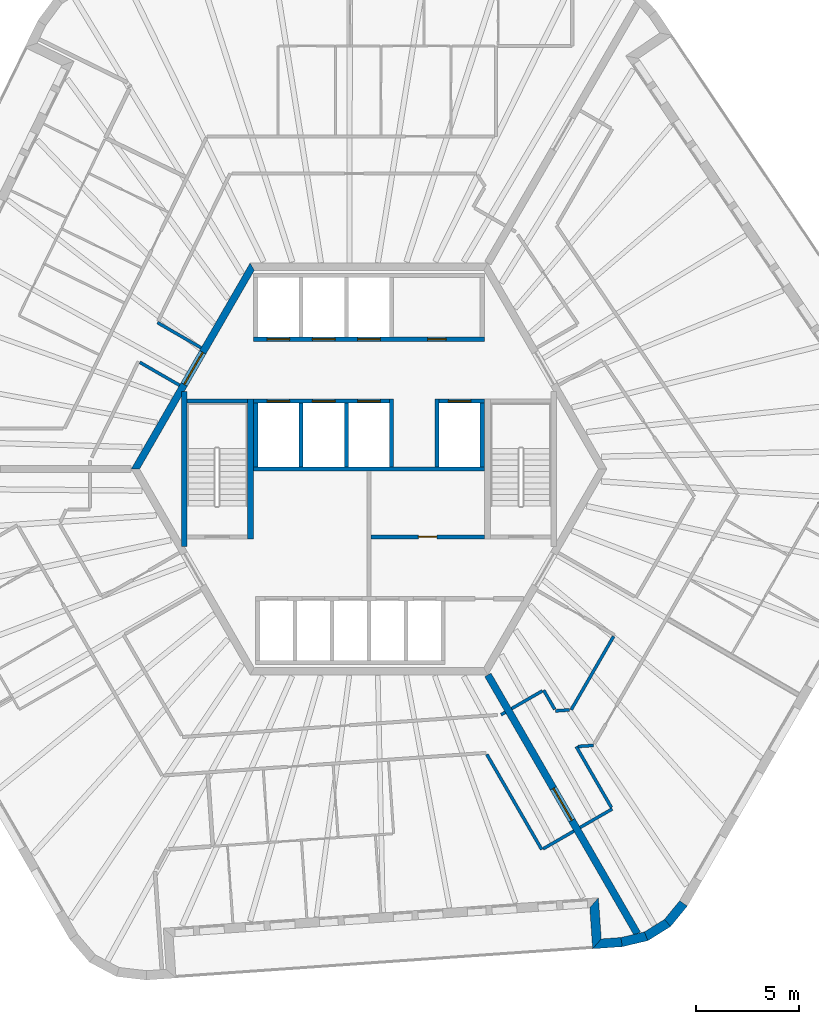
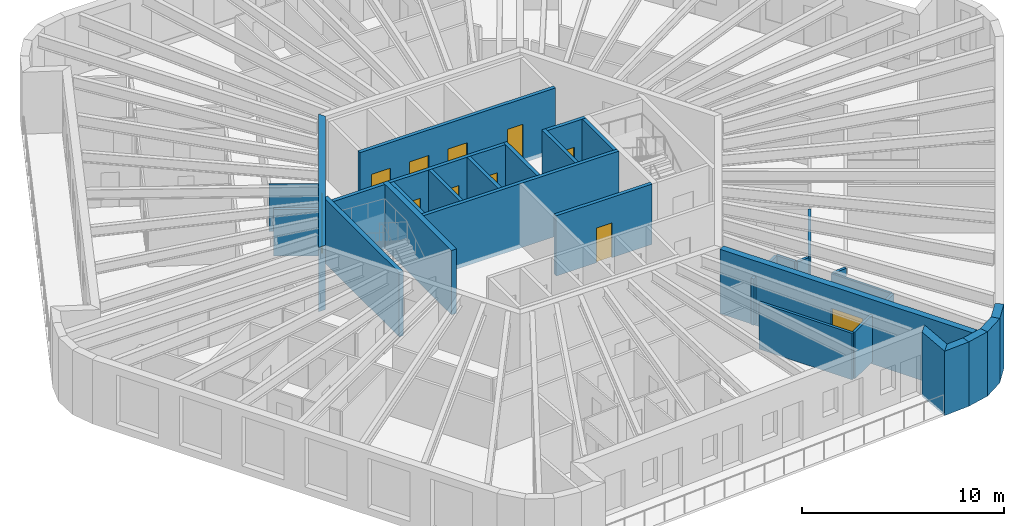
# One storey, part 5 of 11: 33 walls, 11 doors, 11 openings.
"""IFC4 building model written with IfcOpenShell, lengths in metres."""

from ifc_helpers import new_model, si_unit, direction, frame, frame_2d, origin, place, context, subcontext, project, spatial, polyline, rectangle, outline, extrude, material, layer, layer_set, type_object, element, fill, save


model = new_model("IFC4")

# Units and contexts
model_context = context("Model", 3, precision=1e-05, world=origin(), true_north=direction((0.0, 1.0)))
body_context = subcontext(model_context, "Body", "Model", "MODEL_VIEW")
ifc_project = project(units=[si_unit("LENGTHUNIT", "METRE"), si_unit("AREAUNIT", "SQUARE_METRE"), si_unit("VOLUMEUNIT", "CUBIC_METRE"), si_unit("PLANEANGLEUNIT", "RADIAN"), si_unit("MASSUNIT", "GRAM", prefix="KILO")], contexts=[model_context])

# Site, building, storey
site_placement = place(None, origin())
site = spatial("IfcSite", under=ifc_project, at=site_placement, CompositionType="ELEMENT")
building_placement = place(site_placement, origin())
building = spatial("IfcBuilding", under=site, at=building_placement, Name="Tarnside Tower", CompositionType="ELEMENT")
storey_placement = place(building_placement, frame((0.0, 0.0, 365.10009765625)))
storey = spatial("IfcBuildingStorey", under=building, at=storey_placement, Name="L88", CompositionType="ELEMENT", Elevation=365.10009765625)

# Wall, opening, door
ifc_material_1 = material(Name="Concrete C40/50", Category="concrete")
ifc_layer_1 = layer(ifc_material_1, 0.199951171875)
ifc_layer_set_1 = layer_set([ifc_layer_1], Name="Core room partition 200 C40/50")
wall_type_1 = type_object("IfcWallType", Name="Core room partition 200 C40/50", PredefinedType="PARTITIONING", material=ifc_layer_set_1)
wall_1_placement = place(storey_placement, frame((0.10009765625, -3.300048828125, 0.0), z_axis=(0.0, 0.0, 1.0), x_axis=(1.0, 0.0, 0.0)))
wall_1 = element("IfcWall", 1, at=wall_1_placement, inside=storey, type_object=wall_type_1, Name="L88 core partition R3S1", PredefinedType="PARTITIONING", context=body_context, shape_type="SweptSolid", body=[
    extrude(rectangle(XDim=5.5, YDim=0.199951171875, at=frame_2d((2.75, 0.0))), origin(), (0.0, 0.0, 1.0), 3.64990234375),
])
opening_1_placement = place(wall_1_placement, frame((2.300048828125, 0.0, 0.0)))
opening_1 = element("IfcOpeningElement", 2, at=opening_1_placement, cuts=wall_1, Name="Opening CD-room", PredefinedType="OPENING", context=body_context, shape_type="SweptSolid", body=[
    extrude(rectangle(XDim=0.89990234375, YDim=2.10009765625, at=frame_2d((0.449951171875, 1.050048828125))), frame((0.0, 0.10986328125, 0.0), z_axis=(0.0, -1.0, 0.0), x_axis=(1.0, 0.0, 0.0)), (0.0, 0.0, 1.0), 0.219970703125),
])
ifc_material_2 = material(Name="Steel fire door", Category="steel")
door_type_1 = type_object("IfcDoorType", Name="Room door FD60 900x2100", OperationType="NOTDEFINED", PredefinedType="DOOR", material=ifc_material_2)
door_1_placement = place(opening_1_placement, origin())
door_1 = element("IfcDoor", 3, at=door_1_placement, inside=storey, type_object=door_type_1, Name="L88 core room door SR1", OperationType="SINGLE_SWING_LEFT", OverallHeight=2.10009765625, OverallWidth=0.89990234375, PredefinedType="DOOR", context=body_context, shape_type="SweptSolid", body=[
    extrude(rectangle(XDim=0.89990234375, YDim=2.10009765625, at=frame_2d((0.449951171875, 1.050048828125))), frame((0.0, 0.02490234375, 0.0), z_axis=(0.0, -1.0, 0.0), x_axis=(1.0, 0.0, 0.0)), (0.0, 0.0, 1.0), 0.050048828125),
])
fill(opening_1, door_1)

ifc_material_3 = material(Name="Concrete C50/60", Category="concrete")
ifc_layer_2 = layer(ifc_material_3, 0.35009765625)
ifc_layer_set_2 = layer_set([ifc_layer_2], Name="Core wall Z4 350 C50/60")
wall_type_2 = type_object("IfcWallType", Name="Core wall Z4 350 C50/60", PredefinedType="SHEAR", material=ifc_layer_set_2)
wall_2_placement = place(storey_placement, frame((-5.672607421875, 9.824951171875, -0.150146484375), z_axis=(0.0, 0.0, 1.0), x_axis=(-0.499995046907, -0.866028263435, 0.0)))
wall_2 = element("IfcWall", 4, at=wall_2_placement, inside=storey, type_object=wall_type_2, Name="L88 core wall face 2", PredefinedType="SHEAR", context=body_context, shape_type="SweptSolid", body=[
    extrude(outline(polyline([(-0.10107421875, -0.175048828125), (11.44580078125, -0.175048828125), (11.24365234375, 0.175048828125), (0.10107421875, 0.175048828125), (-0.10107421875, -0.175048828125)])), origin(), (0.0, 0.0, 1.0), 3.900146484375),
])
opening_2_placement = place(wall_2_placement, frame((4.80126953125, 0.0, 0.14990234375)))
opening_2 = element("IfcOpeningElement", 5, at=opening_2_placement, cuts=wall_2, Name="Opening CD-LOB", PredefinedType="OPENING", context=body_context, shape_type="SweptSolid", body=[
    extrude(rectangle(XDim=1.800048828125, YDim=2.39990234375, at=frame_2d((0.89990234375, 1.199951171875))), frame((0.0, 0.18505859375, 0.0), z_axis=(0.0, -1.0, 0.0), x_axis=(1.0, 0.0, 0.0)), (0.0, 0.0, 1.0), 0.3701171875),
])
door_type_2 = type_object("IfcDoorType", Name="Lobby double door FD30S 1800x2400", OperationType="NOTDEFINED", PredefinedType="DOOR", material=ifc_material_2)
door_2_placement = place(opening_2_placement, origin())
door_2 = element("IfcDoor", 6, at=door_2_placement, inside=storey, type_object=door_type_2, Name="L88 core door P1", OperationType="DOUBLE_DOOR_SINGLE_SWING", OverallHeight=2.39990234375, OverallWidth=1.800048828125, PredefinedType="DOOR", context=body_context, shape_type="SweptSolid", body=[
    extrude(rectangle(XDim=1.800048828125, YDim=2.39990234375, at=frame_2d((0.89990234375, 1.199951171875))), frame((0.0, 0.02490234375, 0.0), z_axis=(0.0, -1.0, 0.0), x_axis=(1.0, 0.0, 0.0)), (0.0, 0.0, 1.0), 0.050048828125),
])
fill(opening_2, door_2)

wall_3_placement = place(storey_placement, frame((5.7734375, -10.0, -0.150146484375), z_axis=(0.0, 0.0, 1.0), x_axis=(0.500007911273, -0.866020836161, 0.0)))
wall_3 = element("IfcWall", 7, at=wall_3_placement, inside=storey, type_object=wall_type_2, Name="L88 spine wall 3", PredefinedType="SHEAR", context=body_context, shape_type="SweptSolid", body=[
    extrude(rectangle(XDim=14.510498046875, YDim=0.35009765625, at=frame_2d((7.25537109375, 0.0))), origin(), (0.0, 0.0, 1.0), 3.900146484375),
])
opening_3_placement = place(wall_3_placement, frame((6.355224609375, 0.0, 0.14990234375)))
opening_3 = element("IfcOpeningElement", 8, at=opening_3_placement, cuts=wall_3, Name="Opening CD-SPN", PredefinedType="OPENING", context=body_context, shape_type="SweptSolid", body=[
    extrude(rectangle(XDim=1.800048828125, YDim=2.39990234375, at=frame_2d((0.89990234375, 1.199951171875))), frame((0.0, 0.18505859375, 0.0), z_axis=(0.0, -1.0, 0.0), x_axis=(1.0, 0.0, 0.0)), (0.0, 0.0, 1.0), 0.3701171875),
])
door_type_3 = type_object("IfcDoorType", Name="Spine passage double door FD60 1800x2400", OperationType="NOTDEFINED", PredefinedType="DOOR", material=ifc_material_2)
door_3_placement = place(opening_3_placement, origin())
door_3 = element("IfcDoor", 9, at=door_3_placement, inside=storey, type_object=door_type_3, Name="L88 spine passage door 3", OperationType="DOUBLE_DOOR_SINGLE_SWING", OverallHeight=2.39990234375, OverallWidth=1.800048828125, PredefinedType="DOOR", context=body_context, shape_type="SweptSolid", body=[
    extrude(rectangle(XDim=1.800048828125, YDim=2.39990234375, at=frame_2d((0.89990234375, 1.199951171875))), frame((0.0, 0.02490234375, 0.0), z_axis=(0.0, -1.0, 0.0), x_axis=(1.0, 0.0, 0.0)), (0.0, 0.0, 1.0), 0.050048828125),
])
fill(opening_3, door_3)

# Walls
ifc_material_4 = material(Name="Gypsum board partition on steel studs", Category="steel")
ifc_layer_3 = layer(ifc_material_4, 0.14990234375)
ifc_layer_set_3 = layer_set([ifc_layer_3], Name="Corridor wall 150 EI 60")
wall_type_3 = type_object("IfcWallType", Name="Corridor wall 150 EI 60", PredefinedType="PARTITIONING", material=ifc_layer_set_3)
wall_4_placement = place(storey_placement, frame((-11.130615234375, 5.180419921875, 0.0), z_axis=(0.0, 0.0, 1.0), x_axis=(0.866037886895, -0.499978377995, 0.0)))
element("IfcWall", 10, at=wall_4_placement, inside=storey, type_object=wall_type_3, Name="Corridor wall 28019", PredefinedType="PARTITIONING", context=body_context, shape_type="SweptSolid", body=[
    extrude(rectangle(XDim=2.2294921875, YDim=0.14990234375, at=frame_2d((1.11474609375, 0.0))), origin(), (0.0, 0.0, 1.0), 2.81982421875),
])
wall_5_placement = place(storey_placement, frame((-8.149658203125, 5.88427734375, 0.0), z_axis=(0.0, 0.0, 1.0), x_axis=(-0.866009790468, 0.500027042082, 0.0)))
element("IfcWall", 11, at=wall_5_placement, inside=storey, type_object=wall_type_3, Name="Corridor wall 28020", PredefinedType="PARTITIONING", context=body_context, shape_type="SweptSolid", body=[
    extrude(rectangle(XDim=2.451416015625, YDim=0.14990234375, at=frame_2d((1.2255859375, 0.0))), origin(), (0.0, 0.0, 1.0), 2.81982421875),
])
wall_6_placement = place(storey_placement, frame((5.721435546875, -13.859619140625, 0.0), z_axis=(0.0, 0.0, 1.0), x_axis=(0.499970524249, -0.866042420948, 0.0)))
element("IfcWall", 12, at=wall_6_placement, inside=storey, type_object=wall_type_3, Name="Corridor wall 28035", PredefinedType="PARTITIONING", context=body_context, shape_type="SweptSolid", body=[
    extrude(rectangle(XDim=5.338623046875, YDim=0.14990234375, at=frame_2d((2.66943359375, 0.0))), origin(), (0.0, 0.0, 1.0), 2.81982421875),
])
wall_7_placement = place(storey_placement, frame((8.455810546875, -18.44580078125, 0.0), z_axis=(0.0, 0.0, 1.0), x_axis=(0.866013532718, 0.500020560727, 0.0)))
element("IfcWall", 13, at=wall_7_placement, inside=storey, type_object=wall_type_3, Name="Corridor wall 28036", PredefinedType="PARTITIONING", context=body_context, shape_type="SweptSolid", body=[
    extrude(rectangle(XDim=1.72509765625, YDim=0.14990234375, at=frame_2d((0.862548828125, 0.0))), origin(), (0.0, 0.0, 1.0), 2.81982421875),
])
wall_8_placement = place(storey_placement, frame((6.61865234375, -11.81396484375, 0.0), z_axis=(0.0, 0.0, 1.0), x_axis=(-0.865544827262, -0.500831460673, 0.0)))
element("IfcWall", 14, at=wall_8_placement, inside=storey, type_object=wall_type_3, Name="Corridor wall 28045", PredefinedType="PARTITIONING", context=body_context, shape_type="SweptSolid", body=[
    extrude(rectangle(XDim=0.23486328125, YDim=0.14990234375, at=frame_2d((0.117431640625, 0.0))), origin(), (0.0, 0.0, 1.0), 2.81982421875),
])
wall_9_placement = place(storey_placement, frame((10.252685546875, -17.408203125, 0.0), z_axis=(0.0, 0.0, 1.0), x_axis=(0.866047807691, 0.499961193289, 0.0)))
element("IfcWall", 15, at=wall_9_placement, inside=storey, type_object=wall_type_3, Name="Corridor wall 28049", PredefinedType="PARTITIONING", context=body_context, shape_type="SweptSolid", body=[
    extrude(rectangle(XDim=1.800048828125, YDim=0.14990234375, at=frame_2d((0.89990234375, 0.0))), origin(), (0.0, 0.0, 1.0), 2.81982421875),
])
wall_10_placement = place(storey_placement, frame((11.77392578125, -16.443359375, 0.0), z_axis=(0.0, 0.0, 1.0), x_axis=(-0.499938683108, 0.866060802215, 0.0)))
element("IfcWall", 16, at=wall_10_placement, inside=storey, type_object=wall_type_3, Name="Corridor wall 28050", PredefinedType="PARTITIONING", context=body_context, shape_type="SweptSolid", body=[
    extrude(rectangle(XDim=3.4208984375, YDim=0.14990234375, at=frame_2d((1.71044921875, 0.0))), origin(), (0.0, 0.0, 1.0), 2.81982421875),
])
wall_11_placement = place(storey_placement, frame((10.14697265625, -13.47509765625, 0.0), z_axis=(0.0, 0.0, 1.0), x_axis=(0.997549934395, 0.069958047347, 0.0)))
element("IfcWall", 17, at=wall_11_placement, inside=storey, type_object=wall_type_3, Name="Corridor wall 28051", PredefinedType="PARTITIONING", context=body_context, shape_type="SweptSolid", body=[
    extrude(rectangle(XDim=0.75390625, YDim=0.14990234375, at=frame_2d((0.376953125, 0.0))), origin(), (0.0, 0.0, 1.0), 2.81982421875),
])
wall_12_placement = place(storey_placement, frame((11.87939453125, -8.124267578125, 0.0), z_axis=(0.0, 0.0, 1.0), x_axis=(-0.500006178143, -0.866021836803, 0.0)))
element("IfcWall", 18, at=wall_12_placement, inside=storey, type_object=wall_type_3, Name="Corridor wall 28064", PredefinedType="PARTITIONING", context=body_context, shape_type="SweptSolid", body=[
    extrude(rectangle(XDim=4.12158203125, YDim=0.14990234375, at=frame_2d((2.060791015625, 0.0))), origin(), (0.0, 0.0, 1.0), 2.81982421875),
])
wall_13_placement = place(storey_placement, frame((9.728515625, -11.699951171875, 0.0), z_axis=(0.0, 0.0, 1.0), x_axis=(-0.997585124395, -0.069454442519, 0.0)))
element("IfcWall", 19, at=wall_13_placement, inside=storey, type_object=wall_type_3, Name="Corridor wall 28065", PredefinedType="PARTITIONING", context=body_context, shape_type="SweptSolid", body=[
    extrude(rectangle(XDim=0.66796875, YDim=0.14990234375, at=frame_2d((0.333984375, 0.0))), origin(), (0.0, 0.0, 1.0), 2.81982421875),
])
wall_14_placement = place(storey_placement, frame((9.020751953125, -11.674072265625, 0.0), z_axis=(0.0, 0.0, 1.0), x_axis=(-0.500126914667, 0.865952117167, 0.0)))
element("IfcWall", 20, at=wall_14_placement, inside=storey, type_object=wall_type_3, Name="Corridor wall 28066", PredefinedType="PARTITIONING", context=body_context, shape_type="SweptSolid", body=[
    extrude(rectangle(XDim=1.079833984375, YDim=0.14990234375, at=frame_2d((0.5400390625, 0.0))), origin(), (0.0, 0.0, 1.0), 2.81982421875),
])
wall_15_placement = place(storey_placement, frame((8.415771484375, -10.776611328125, 0.0), z_axis=(0.0, 0.0, 1.0), x_axis=(-0.866074815912, -0.499914405916, 0.0)))
element("IfcWall", 21, at=wall_15_placement, inside=storey, type_object=wall_type_3, Name="Corridor wall 28067", PredefinedType="PARTITIONING", context=body_context, shape_type="SweptSolid", body=[
    extrude(rectangle(XDim=1.724853515625, YDim=0.14990234375, at=frame_2d((0.8623046875, 0.0))), origin(), (0.0, 0.0, 1.0), 2.81982421875),
])

# Wall, openings, doors
ifc_layer_4 = layer(ifc_material_1, 0.199951171875)
ifc_layer_set_4 = layer_set([ifc_layer_4], Name="Lift shaft wall 200 C40/50")
wall_type_4 = type_object("IfcWallType", Name="Lift shaft wall 200 C40/50", PredefinedType="SHEAR", material=ifc_layer_set_4)
wall_16_placement = place(storey_placement, frame((-5.60009765625, 6.300048828125, -0.25), z_axis=(0.0, 0.0, 1.0), x_axis=(1.0, 0.0, 0.0)))
wall_16 = element("IfcWall", 22, at=wall_16_placement, inside=storey, type_object=wall_type_4, Name="L88 lift shaft front wall R1", PredefinedType="SHEAR", context=body_context, shape_type="SweptSolid", body=[
    extrude(rectangle(XDim=11.2001953125, YDim=0.199951171875, at=frame_2d((5.60009765625, 0.0))), origin(), (0.0, 0.0, 1.0), 3.89990234375),
])
opening_4_placement = place(wall_16_placement, frame((8.449951171875, 0.0, 0.25)))
opening_4 = element("IfcOpeningElement", 23, at=opening_4_placement, cuts=wall_16, Name="Opening CD-room", PredefinedType="OPENING", context=body_context, shape_type="SweptSolid", body=[
    extrude(rectangle(XDim=0.89990234375, YDim=2.10009765625, at=frame_2d((0.449951171875, 1.050048828125))), frame((0.0, 0.10986328125, 0.0), z_axis=(0.0, -1.0, 0.0), x_axis=(1.0, 0.0, 0.0)), (0.0, 0.0, 1.0), 0.219970703125),
])
opening_5_placement = place(wall_16_placement, frame((0.64990234375, 0.0, 0.25)))
opening_5 = element("IfcOpeningElement", 24, at=opening_5_placement, cuts=wall_16, Name="Opening LD", PredefinedType="OPENING", context=body_context, shape_type="SweptSolid", body=[
    extrude(rectangle(XDim=1.10009765625, YDim=2.10009765625, at=frame_2d((0.550048828125, 1.050048828125))), frame((0.0, 0.10986328125, 0.0), z_axis=(0.0, -1.0, 0.0), x_axis=(1.0, 0.0, 0.0)), (0.0, 0.0, 1.0), 0.219970703125),
])
opening_6_placement = place(wall_16_placement, frame((2.85009765625, 0.0, 0.25)))
opening_6 = element("IfcOpeningElement", 25, at=opening_6_placement, cuts=wall_16, Name="Opening LD", PredefinedType="OPENING", context=body_context, shape_type="SweptSolid", body=[
    extrude(rectangle(XDim=1.10009765625, YDim=2.10009765625, at=frame_2d((0.550048828125, 1.050048828125))), frame((0.0, 0.10986328125, 0.0), z_axis=(0.0, -1.0, 0.0), x_axis=(1.0, 0.0, 0.0)), (0.0, 0.0, 1.0), 0.219970703125),
])
opening_7_placement = place(wall_16_placement, frame((5.050048828125, 0.0, 0.25)))
opening_7 = element("IfcOpeningElement", 26, at=opening_7_placement, cuts=wall_16, Name="Opening LD", PredefinedType="OPENING", context=body_context, shape_type="SweptSolid", body=[
    extrude(rectangle(XDim=1.10009765625, YDim=2.10009765625, at=frame_2d((0.550048828125, 1.050048828125))), frame((0.0, 0.10986328125, 0.0), z_axis=(0.0, -1.0, 0.0), x_axis=(1.0, 0.0, 0.0)), (0.0, 0.0, 1.0), 0.219970703125),
])
ifc_material_5 = material(Name="Stainless steel", Category="steel")
door_type_4 = type_object("IfcDoorType", Name="Lift landing door 1100x2100", OperationType="NOTDEFINED", PredefinedType="DOOR", material=ifc_material_5)
door_4_placement = place(opening_5_placement, origin())
door_4 = element("IfcDoor", 27, at=door_4_placement, inside=storey, type_object=door_type_4, Name="High-rise lift 1 landing door L88", OperationType="SLIDING_TO_LEFT", OverallHeight=2.10009765625, OverallWidth=1.10009765625, PredefinedType="DOOR", context=body_context, shape_type="SweptSolid", body=[
    extrude(rectangle(XDim=1.10009765625, YDim=2.10009765625, at=frame_2d((0.550048828125, 1.050048828125))), frame((0.0, 0.02490234375, 0.0), z_axis=(0.0, -1.0, 0.0), x_axis=(1.0, 0.0, 0.0)), (0.0, 0.0, 1.0), 0.050048828125),
])
fill(opening_5, door_4)
door_5_placement = place(opening_6_placement, origin())
door_5 = element("IfcDoor", 28, at=door_5_placement, inside=storey, type_object=door_type_4, Name="High-rise lift 2 landing door L88", OperationType="SLIDING_TO_LEFT", OverallHeight=2.10009765625, OverallWidth=1.10009765625, PredefinedType="DOOR", context=body_context, shape_type="SweptSolid", body=[
    extrude(rectangle(XDim=1.10009765625, YDim=2.10009765625, at=frame_2d((0.550048828125, 1.050048828125))), frame((0.0, 0.02490234375, 0.0), z_axis=(0.0, -1.0, 0.0), x_axis=(1.0, 0.0, 0.0)), (0.0, 0.0, 1.0), 0.050048828125),
])
fill(opening_6, door_5)
door_6_placement = place(opening_7_placement, origin())
door_6 = element("IfcDoor", 29, at=door_6_placement, inside=storey, type_object=door_type_4, Name="High-rise lift 3 landing door L88", OperationType="SLIDING_TO_LEFT", OverallHeight=2.10009765625, OverallWidth=1.10009765625, PredefinedType="DOOR", context=body_context, shape_type="SweptSolid", body=[
    extrude(rectangle(XDim=1.10009765625, YDim=2.10009765625, at=frame_2d((0.550048828125, 1.050048828125))), frame((0.0, 0.02490234375, 0.0), z_axis=(0.0, -1.0, 0.0), x_axis=(1.0, 0.0, 0.0)), (0.0, 0.0, 1.0), 0.050048828125),
])
fill(opening_7, door_6)
door_7_placement = place(opening_4_placement, origin())
door_7 = element("IfcDoor", 30, at=door_7_placement, inside=storey, type_object=door_type_1, Name="L88 core room door FC1", OperationType="SINGLE_SWING_LEFT", OverallHeight=2.10009765625, OverallWidth=0.89990234375, PredefinedType="DOOR", context=body_context, shape_type="SweptSolid", body=[
    extrude(rectangle(XDim=0.89990234375, YDim=2.10009765625, at=frame_2d((0.449951171875, 1.050048828125))), frame((0.0, 0.02490234375, 0.0), z_axis=(0.0, -1.0, 0.0), x_axis=(1.0, 0.0, 0.0)), (0.0, 0.0, 1.0), 0.050048828125),
])
fill(opening_4, door_7)

wall_17_placement = place(storey_placement, frame((-5.60009765625, 3.300048828125, -0.25), z_axis=(0.0, 0.0, 1.0), x_axis=(1.0, 0.0, 0.0)))
wall_17 = element("IfcWall", 31, at=wall_17_placement, inside=storey, type_object=wall_type_4, Name="L88 lift shaft front wall R2", PredefinedType="SHEAR", context=body_context, shape_type="SweptSolid", body=[
    extrude(rectangle(XDim=6.60009765625, YDim=0.199951171875, at=frame_2d((3.300048828125, 0.0))), origin(), (0.0, 0.0, 1.0), 3.89990234375),
])
opening_8_placement = place(wall_17_placement, frame((0.64990234375, 0.0, 0.25)))
opening_8 = element("IfcOpeningElement", 32, at=opening_8_placement, cuts=wall_17, Name="Opening LD", PredefinedType="OPENING", context=body_context, shape_type="SweptSolid", body=[
    extrude(rectangle(XDim=1.10009765625, YDim=2.10009765625, at=frame_2d((0.550048828125, 1.050048828125))), frame((0.0, 0.10986328125, 0.0), z_axis=(0.0, -1.0, 0.0), x_axis=(1.0, 0.0, 0.0)), (0.0, 0.0, 1.0), 0.219970703125),
])
opening_9_placement = place(wall_17_placement, frame((2.85009765625, 0.0, 0.25)))
opening_9 = element("IfcOpeningElement", 33, at=opening_9_placement, cuts=wall_17, Name="Opening LD", PredefinedType="OPENING", context=body_context, shape_type="SweptSolid", body=[
    extrude(rectangle(XDim=1.10009765625, YDim=2.10009765625, at=frame_2d((0.550048828125, 1.050048828125))), frame((0.0, 0.10986328125, 0.0), z_axis=(0.0, -1.0, 0.0), x_axis=(1.0, 0.0, 0.0)), (0.0, 0.0, 1.0), 0.219970703125),
])
opening_10_placement = place(wall_17_placement, frame((5.050048828125, 0.0, 0.25)))
opening_10 = element("IfcOpeningElement", 34, at=opening_10_placement, cuts=wall_17, Name="Opening LD", PredefinedType="OPENING", context=body_context, shape_type="SweptSolid", body=[
    extrude(rectangle(XDim=1.10009765625, YDim=2.10009765625, at=frame_2d((0.550048828125, 1.050048828125))), frame((0.0, 0.10986328125, 0.0), z_axis=(0.0, -1.0, 0.0), x_axis=(1.0, 0.0, 0.0)), (0.0, 0.0, 1.0), 0.219970703125),
])
door_8_placement = place(opening_8_placement, origin())
door_8 = element("IfcDoor", 35, at=door_8_placement, inside=storey, type_object=door_type_4, Name="High-rise lift 4 landing door L88", OperationType="SLIDING_TO_LEFT", OverallHeight=2.10009765625, OverallWidth=1.10009765625, PredefinedType="DOOR", context=body_context, shape_type="SweptSolid", body=[
    extrude(rectangle(XDim=1.10009765625, YDim=2.10009765625, at=frame_2d((0.550048828125, 1.050048828125))), frame((0.0, 0.02490234375, 0.0), z_axis=(0.0, -1.0, 0.0), x_axis=(1.0, 0.0, 0.0)), (0.0, 0.0, 1.0), 0.050048828125),
])
fill(opening_8, door_8)
door_9_placement = place(opening_9_placement, origin())
door_9 = element("IfcDoor", 36, at=door_9_placement, inside=storey, type_object=door_type_4, Name="High-rise lift 5 landing door L88", OperationType="SLIDING_TO_LEFT", OverallHeight=2.10009765625, OverallWidth=1.10009765625, PredefinedType="DOOR", context=body_context, shape_type="SweptSolid", body=[
    extrude(rectangle(XDim=1.10009765625, YDim=2.10009765625, at=frame_2d((0.550048828125, 1.050048828125))), frame((0.0, 0.02490234375, 0.0), z_axis=(0.0, -1.0, 0.0), x_axis=(1.0, 0.0, 0.0)), (0.0, 0.0, 1.0), 0.050048828125),
])
fill(opening_9, door_9)
door_10_placement = place(opening_10_placement, origin())
door_10 = element("IfcDoor", 37, at=door_10_placement, inside=storey, type_object=door_type_4, Name="High-rise lift 6 landing door L88", OperationType="SLIDING_TO_LEFT", OverallHeight=2.10009765625, OverallWidth=1.10009765625, PredefinedType="DOOR", context=body_context, shape_type="SweptSolid", body=[
    extrude(rectangle(XDim=1.10009765625, YDim=2.10009765625, at=frame_2d((0.550048828125, 1.050048828125))), frame((0.0, 0.02490234375, 0.0), z_axis=(0.0, -1.0, 0.0), x_axis=(1.0, 0.0, 0.0)), (0.0, 0.0, 1.0), 0.050048828125),
])
fill(opening_10, door_10)

# Wall, opening, door
wall_18_placement = place(storey_placement, frame((3.39990234375, 3.300048828125, -0.25), z_axis=(0.0, 0.0, 1.0), x_axis=(1.0, 0.0, 0.0)))
wall_18 = element("IfcWall", 38, at=wall_18_placement, inside=storey, type_object=wall_type_4, Name="L88 lift shaft front wall R2 2", PredefinedType="SHEAR", context=body_context, shape_type="SweptSolid", body=[
    extrude(rectangle(XDim=2.2001953125, YDim=0.199951171875, at=frame_2d((1.10009765625, 0.0))), origin(), (0.0, 0.0, 1.0), 3.89990234375),
])
opening_11_placement = place(wall_18_placement, frame((0.449951171875, 0.0, 0.25)))
opening_11 = element("IfcOpeningElement", 39, at=opening_11_placement, cuts=wall_18, Name="Opening LD", PredefinedType="OPENING", context=body_context, shape_type="SweptSolid", body=[
    extrude(rectangle(XDim=1.10009765625, YDim=2.10009765625, at=frame_2d((0.550048828125, 1.050048828125))), frame((0.0, 0.10986328125, 0.0), z_axis=(0.0, -1.0, 0.0), x_axis=(1.0, 0.0, 0.0)), (0.0, 0.0, 1.0), 0.219970703125),
])
door_11_placement = place(opening_11_placement, origin())
door_11 = element("IfcDoor", 40, at=door_11_placement, inside=storey, type_object=door_type_4, Name="Express sky-lobby shuttle 2 landing door L88", OperationType="SLIDING_TO_LEFT", OverallHeight=2.10009765625, OverallWidth=1.10009765625, PredefinedType="DOOR", context=body_context, shape_type="SweptSolid", body=[
    extrude(rectangle(XDim=1.10009765625, YDim=2.10009765625, at=frame_2d((0.550048828125, 1.050048828125))), frame((0.0, 0.02490234375, 0.0), z_axis=(0.0, -1.0, 0.0), x_axis=(1.0, 0.0, 0.0)), (0.0, 0.0, 1.0), 0.050048828125),
])
fill(opening_11, door_11)

# Walls
wall_19_placement = place(storey_placement, frame((-5.60009765625, 0.0, -0.25), z_axis=(0.0, 0.0, 1.0), x_axis=(1.0, 0.0, 0.0)))
element("IfcWall", 41, at=wall_19_placement, inside=storey, type_object=wall_type_4, Name="L88 lift shaft back wall R2", PredefinedType="SHEAR", context=body_context, shape_type="SweptSolid", body=[
    extrude(rectangle(XDim=11.2001953125, YDim=0.199951171875, at=frame_2d((5.60009765625, 0.0))), origin(), (0.0, 0.0, 1.0), 3.89990234375),
])
for number, where, z_axis, x_axis, name in (
    (42, (-5.5, 0.10009765625, -0.25), (0.0, 0.0, 1.0), (0.0, 1.0, 0.0), "L88 lift shaft partition R21"),
    (43, (-3.300048828125, 0.10009765625, -0.25), (0.0, 0.0, 1.0), (0.0, 1.0, 0.0), "L88 lift shaft partition R22"),
    (44, (-1.10009765625, 0.10009765625, -0.25), (0.0, 0.0, 1.0), (0.0, 1.0, 0.0), "L88 lift shaft partition R23"),
):
    element("IfcWall", number, at=place(storey_placement, frame(where, z_axis=z_axis, x_axis=x_axis)), inside=storey, type_object=wall_type_4, Name=name, PredefinedType="SHEAR", context=body_context, shape_type="SweptSolid", body=[
        extrude(rectangle(XDim=3.099853515625, YDim=0.199951171875, at=frame_2d((1.5498046875, 0.0))), origin(), (0.0, 0.0, 1.0), 3.89990234375),
    ])
for number, where, z_axis, x_axis, name in (
    (45, (1.10009765625, 0.10009765625, -0.25), (0.0, 0.0, 1.0), (0.0, 1.0, 0.0), "L88 lift shaft partition R24"),
    (46, (3.300048828125, 0.10009765625, -0.25), (0.0, 0.0, 1.0), (0.0, 1.0, 0.0), "L88 lift shaft partition R25"),
):
    element("IfcWall", number, at=place(storey_placement, frame(where, z_axis=z_axis, x_axis=x_axis)), inside=storey, type_object=wall_type_4, Name=name, PredefinedType="SHEAR", context=body_context, shape_type="SweptSolid", body=[
        extrude(rectangle(XDim=3.2998046875, YDim=0.199951171875, at=frame_2d((1.64990234375, 0.0))), origin(), (0.0, 0.0, 1.0), 3.89990234375),
    ])
wall_20_placement = place(storey_placement, frame((5.5, 0.10009765625, -0.25), z_axis=(0.0, 0.0, 1.0), x_axis=(0.0, 1.0, 0.0)))
element("IfcWall", 47, at=wall_20_placement, inside=storey, type_object=wall_type_4, Name="L88 lift shaft partition R26", PredefinedType="SHEAR", context=body_context, shape_type="SweptSolid", body=[
    extrude(rectangle(XDim=3.099853515625, YDim=0.199951171875, at=frame_2d((1.5498046875, 0.0))), origin(), (0.0, 0.0, 1.0), 3.89990234375),
])
wall_21_placement = place(storey_placement, frame((-8.85009765625, 3.300048828125, -0.25), z_axis=(0.0, 0.0, 1.0), x_axis=(1.0, 0.0, 0.0)))
element("IfcWall", 48, at=wall_21_placement, inside=storey, type_object=wall_type_4, Name="L88 stair 2 enclosure cap wall n", PredefinedType="SHEAR", context=body_context, shape_type="SweptSolid", body=[
    extrude(rectangle(XDim=2.9501953125, YDim=0.199951171875, at=frame_2d((1.47509765625, 0.0))), origin(), (0.0, 0.0, 1.0), 3.89990234375),
])
ifc_material_6 = material(Name="Dark zinc cladding")
ifc_layer_5 = layer(ifc_material_6, 0.10205078125)
ifc_material_7 = material(Name="Concrete C60/75 precast", Category="concrete")
ifc_layer_6 = layer(ifc_material_7, 0.248046875)
ifc_material_8 = material(Name="Mineral wool insulation")
ifc_layer_7 = layer(ifc_material_8, 0.10009765625)
ifc_layer_set_5 = layer_set([ifc_layer_5, ifc_layer_6, ifc_layer_7], Name="Loggia wall 450 zinc faced")
wall_type_5 = type_object("IfcWallType", Name="Loggia wall 450 zinc faced", PredefinedType="SOLIDWALL", material=ifc_layer_set_5)
wall_22_placement = place(storey_placement, frame((10.93017578125, -21.06396484375, -0.150146484375), z_axis=(0.0, 0.0, 1.0), x_axis=(0.069702791886, -0.99756780261, 0.0)))
element("IfcWall", 49, at=wall_22_placement, inside=storey, type_object=wall_type_5, Name="Tube wall L88 F4 return 19", PredefinedType="SOLIDWALL", context=body_context, shape_type="SweptSolid", body=[
    extrude(outline(polyline([(0.224853515625, -0.22509765625), (2.22509765625, -0.22509765625), (1.77490234375, 0.22509765625), (-0.224853515625, 0.22509765625), (0.224853515625, -0.22509765625)])), origin(), (0.0, 0.0, 1.0), 3.900146484375),
])
wall_23_placement = place(storey_placement, frame((11.069580078125, -23.05908203125, -0.150146484375), z_axis=(0.0, 0.0, 1.0), x_axis=(0.997562933087, 0.069772448216, 0.0)))
element("IfcWall", 50, at=wall_23_placement, inside=storey, type_object=wall_type_5, Name="Tube wall L88 F4 stub 20", PredefinedType="SOLIDWALL", context=body_context, shape_type="SweptSolid", body=[
    extrude(outline(polyline([(-0.224853515625, -0.22509765625), (1.218505859375, -0.22509765625), (1.181884765625, 0.22509765625), (0.224853515625, 0.22509765625), (-0.224853515625, -0.22509765625)])), origin(), (0.0, 0.0, 1.0), 3.900146484375),
])
ifc_layer_8 = layer(ifc_material_1, 0.25)
ifc_layer_set_6 = layer_set([ifc_layer_8], Name="Stair enclosure wall 250 C40/50")
wall_type_6 = type_object("IfcWallType", Name="Stair enclosure wall 250 C40/50", PredefinedType="SHEAR", material=ifc_layer_set_6)
wall_24_placement = place(storey_placement, frame((-8.97509765625, -3.7548828125, -0.25), z_axis=(0.0, 0.0, 1.0), x_axis=(0.0, 1.0, 0.0)))
element("IfcWall", 51, at=wall_24_placement, inside=storey, type_object=wall_type_6, Name="L88 stair 2 enclosure wall outer", PredefinedType="SHEAR", context=body_context, shape_type="SweptSolid", body=[
    extrude(rectangle(XDim=7.509765625, YDim=0.25, at=frame_2d((3.7548828125, 0.0))), origin(), (0.0, 0.0, 1.0), 3.89990234375),
])
ifc_layer_9 = layer(ifc_material_1, 0.300048828125)
ifc_layer_set_7 = layer_set([ifc_layer_9], Name="Stair enclosure wall 300 C40/50")
wall_type_7 = type_object("IfcWallType", Name="Stair enclosure wall 300 C40/50", PredefinedType="SHEAR", material=ifc_layer_set_7)
wall_25_placement = place(storey_placement, frame((-5.75, -3.39990234375, -0.25), z_axis=(0.0, 0.0, 1.0), x_axis=(0.0, 1.0, 0.0)))
element("IfcWall", 52, at=wall_25_placement, inside=storey, type_object=wall_type_7, Name="L88 stair 2 enclosure wall inner", PredefinedType="SHEAR", context=body_context, shape_type="SweptSolid", body=[
    extrude(rectangle(XDim=6.7998046875, YDim=0.300048828125, at=frame_2d((3.39990234375, 0.0))), origin(), (0.0, 0.0, 1.0), 3.89990234375),
])
ifc_material_9 = material(Name="Facing brick", Category="masonry")
ifc_layer_10 = layer(ifc_material_9, 0.10205078125)
ifc_layer_11 = layer(ifc_material_7, 0.248046875)
ifc_layer_12 = layer(ifc_material_8, 0.10009765625)
ifc_layer_set_8 = layer_set([ifc_layer_10, ifc_layer_11, ifc_layer_12], Name="Tube wall 450 brick faced")
wall_type_8 = type_object("IfcWallType", Name="Tube wall 450 brick faced", PredefinedType="SOLIDWALL", material=ifc_layer_set_8)
wall_26_placement = place(storey_placement, frame((12.266845703125, -22.975341796875, -0.150146484375), z_axis=(0.0, 0.0, 1.0), x_axis=(0.973026131006, 0.230694924913, 0.0)))
element("IfcWall", 53, at=wall_26_placement, inside=storey, type_object=wall_type_8, Name="Tube wall L88 F4 chord 21", PredefinedType="SOLIDWALL", context=body_context, shape_type="SweptSolid", body=[
    extrude(outline(polyline([(-0.018310546875, -0.22509765625), (1.26123046875, -0.22509765625), (1.1875, 0.22509765625), (0.018310546875, 0.22509765625), (-0.018310546875, -0.22509765625)])), origin(), (0.0, 0.0, 1.0), 3.900146484375),
])
wall_27_placement = place(storey_placement, frame((13.458251953125, -22.69287109375, -0.150146484375), z_axis=(0.0, 0.0, 1.0), x_axis=(0.848009505552, 0.529981017107, 0.0)))
element("IfcWall", 54, at=wall_27_placement, inside=storey, type_object=wall_type_8, Name="Tube wall L88 F4 chord 22", PredefinedType="SOLIDWALL", context=body_context, shape_type="SweptSolid", body=[
    extrude(outline(polyline([(-0.036865234375, -0.22509765625), (1.26123046875, -0.22509765625), (1.1875, 0.22509765625), (0.036865234375, 0.22509765625), (-0.036865234375, -0.22509765625)])), origin(), (0.0, 0.0, 1.0), 3.900146484375),
])
wall_28_placement = place(storey_placement, frame((14.49658203125, -22.0439453125, -0.150146484375), z_axis=(0.0, 0.0, 1.0), x_axis=(0.633867343651, 0.773441782329, 0.0)))
element("IfcWall", 55, at=wall_28_placement, inside=storey, type_object=wall_type_8, Name="Tube wall L88 F4 chord 23", PredefinedType="SOLIDWALL", context=body_context, shape_type="SweptSolid", body=[
    extrude(outline(polyline([(-0.036865234375, -0.22509765625), (1.24267578125, -0.22509765625), (1.2060546875, 0.22509765625), (0.036865234375, 0.22509765625), (-0.036865234375, -0.22509765625)])), origin(), (0.0, 0.0, 1.0), 3.900146484375),
])

save(model, "model.ifc")
